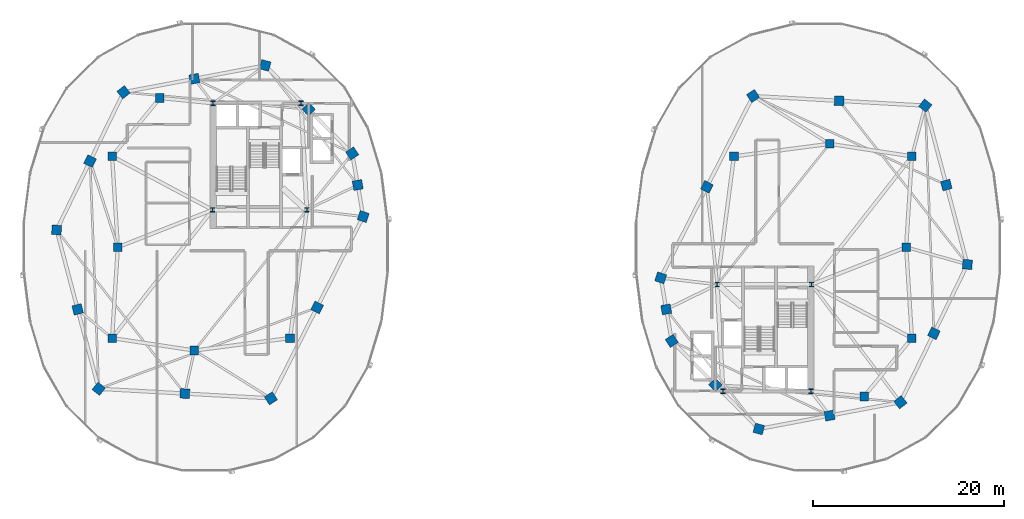
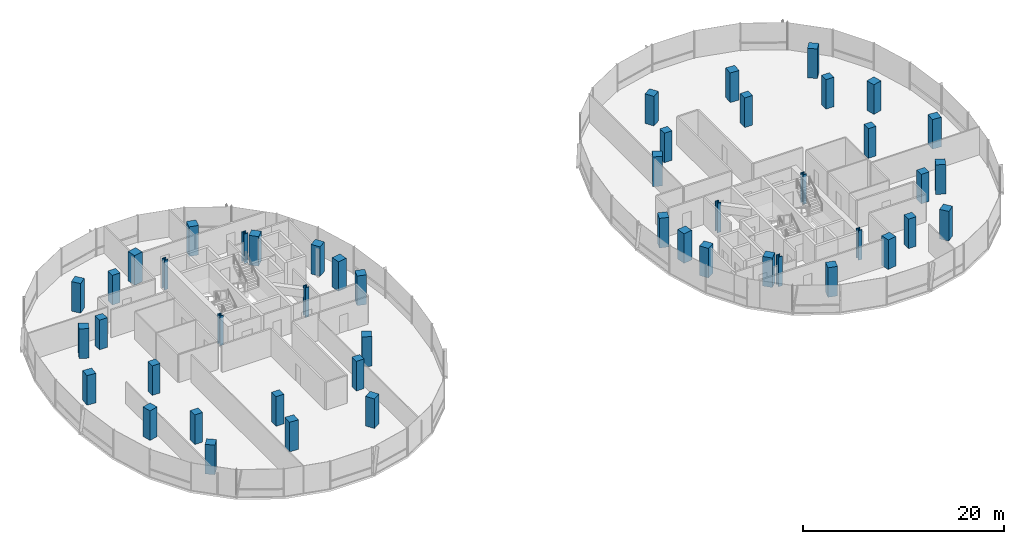
# One storey, part 1 of 22: 48 columns.
"""IFC4 building model written with IfcOpenShell, lengths in metres."""

from ifc_helpers import new_model, si_unit, direction, frame, origin, origin_2d, place, context, subcontext, project, spatial, rectangle, i_section, extrude, material, material_profile, profile_set, type_object, element, save


model = new_model("IFC4")

# Units and contexts
model_context = context("Model", 3, precision=1e-05, world=origin(), true_north=direction((0.0, 1.0)))
body_context = subcontext(model_context, "Body", "Model", "MODEL_VIEW")
ifc_project = project(units=[si_unit("LENGTHUNIT", "METRE"), si_unit("AREAUNIT", "SQUARE_METRE"), si_unit("VOLUMEUNIT", "CUBIC_METRE"), si_unit("PLANEANGLEUNIT", "RADIAN"), si_unit("MASSUNIT", "GRAM", prefix="KILO"), si_unit("THERMODYNAMICTEMPERATUREUNIT", "KELVIN"), si_unit("POWERUNIT", "WATT")], contexts=[model_context])

# Site, building, storey
site_placement = place(None, origin())
site = spatial("IfcSite", under=ifc_project, at=site_placement, CompositionType="ELEMENT")
building_placement = place(site_placement, origin())
building = spatial("IfcBuilding", under=site, at=building_placement, Name="Cundina Bronze Exchange", CompositionType="ELEMENT")
storey_placement = place(building_placement, frame((0.0, 0.0, 140.39990234375)))
storey = spatial("IfcBuildingStorey", under=building, at=storey_placement, Name="L36", CompositionType="ELEMENT", Elevation=140.39990234375)

# Columns
ifc_material_1 = material(Name="Steel ASTM A992 Grade 50", Category="steel")
ifc_material_profile_1 = material_profile(ifc_material_1, i_section(OverallWidth=0.431884765625, OverallDepth=0.498046875, WebThickness=0.0556640625, FlangeThickness=0.0888671875, FilletRadius=0.01806640625, at=origin_2d()), Name="W14X500", Category="steel")
ifc_profile_set_1 = profile_set([ifc_material_profile_1], Name="Steel ASTM A992 Grade 50")
column_type_1 = type_object("IfcColumnType", Name="COL-STL-W14A", PredefinedType="COLUMN", material=ifc_profile_set_1)
for number, where, z_axis, x_axis, name in (
    (1, (-31.300048828125, 3.89990234375, 0.0), (0.0, 0.0, 1.0), (1.0, 0.0, 0.0), "L36 Core Anchor Column W1"),
    (2, (-21.449951171875, 3.89990234375, 0.0), (0.0, 0.0, 1.0), (1.0, 0.0, 0.0), "L36 Core Anchor Column W2"),
    (3, (-22.050048828125, 15.050048828125, 0.0), (0.0, 0.0, 1.0), (1.0, 0.0, 0.0), "L36 Core Anchor Column W3"),
    (4, (-31.25, 15.050048828125, 0.0), (0.0, 0.0, 1.0), (1.0, 0.0, 0.0), "L36 Core Anchor Column W4"),
    (5, (31.300048828125, -3.89990234375, 0.0), (0.0, 0.0, 1.0), (1.0, 0.0, 0.0), "L36 Core Anchor Column E1"),
    (6, (21.449951171875, -3.89990234375, 0.0), (0.0, 0.0, 1.0), (1.0, 0.0, 0.0), "L36 Core Anchor Column E2"),
    (7, (22.050048828125, -15.050048828125, 0.0), (0.0, 0.0, 1.0), (1.0, 0.0, 0.0), "L36 Core Anchor Column E3"),
    (8, (31.25, -15.050048828125, 0.0), (0.0, 0.0, 1.0), (1.0, 0.0, 0.0), "L36 Core Anchor Column E4"),
):
    element("IfcColumn", number, at=place(storey_placement, frame(where, z_axis=z_axis, x_axis=x_axis)), inside=storey, type_object=column_type_1, Name=name, PredefinedType="COLUMN", context=body_context, shape_type="SweptSolid", body=[
        extrude(i_section(OverallWidth=0.431884765625, OverallDepth=0.498046875, WebThickness=0.0556640625, FlangeThickness=0.0888671875, FilletRadius=0.01806640625, at=origin_2d()), origin(), (0.0, 0.0, 1.0), 3.60009765625),
    ])
ifc_material_2 = material(Name="Concrete C50/60", Category="concrete")
ifc_material_profile_2 = material_profile(ifc_material_2, rectangle(XDim=1.0, YDim=1.0, at=origin_2d()), Name="RC1000X1000", Category="concrete")
ifc_profile_set_2 = profile_set([ifc_material_profile_2], Name="Concrete C50/60")
column_type_2 = type_object("IfcColumnType", Name="COL-Z3-1000", PredefinedType="COLUMN", material=ifc_profile_set_2)
for number, where, z_axis, x_axis, name in (
    (9, (-15.550048828125, 3.199951171875, 0.0), (0.0, 0.0, 1.0), (0.315152163383, 0.949041155016, 0.0), "L36 W Perimeter Column 00"),
    (10, (-16.125, 6.5, 0.0), (0.0, 0.0, 1.0), (-0.171585221787, 0.985169280715, 0.0), "L36 W Perimeter Column 01"),
    (11, (-16.699951171875, 9.800048828125, 0.0), (0.0, 0.0, 1.0), (-0.544199833495, 0.838955625301, 0.0), "L36 W Perimeter Column 02"),
    (12, (-21.25, 14.39990234375, 0.0), (0.0, 0.0, 1.0), (-0.703270634186, 0.710922228581, 0.0), "L36 W Perimeter Column 03"),
    (13, (-25.800048828125, 19.0, 0.0), (0.0, 0.0, 1.0), (-0.965970984022, 0.258650455301, 0.0), "L36 W Perimeter Column 04"),
    (14, (-33.199951171875, 17.60009765625, 0.0), (0.0, 0.0, 1.0), (-0.98258037664, -0.185838110843, 0.0), "L36 W Perimeter Column 05"),
    (15, (-40.60009765625, 16.199951171875, 0.0), (0.0, 0.0, 1.0), (-0.785100778485, -0.619368038909, 0.0), "L36 W Perimeter Column 06"),
    (16, (-44.10009765625, 9.0, 0.0), (0.0, 0.0, 1.0), (-0.437115766651, -0.899405251566, 0.0), "L36 W Perimeter Column 07"),
    (17, (-47.60009765625, 1.800048828125, 0.0), (0.0, 0.0, 1.0), (-0.083503921245, -0.996507448611, 0.0), "L36 W Perimeter Column 08"),
    (18, (-45.39990234375, -6.5, 0.0), (0.0, 0.0, 1.0), (0.256289373133, -0.966600102017, 0.0), "L36 W Perimeter Column 09"),
    (19, (-43.199951171875, -14.800048828125, 0.0), (0.0, 0.0, 1.0), (0.786288432137, -0.61785961309, 0.0), "L36 W Perimeter Column 10"),
    (20, (-34.199951171875, -15.300048828125, 0.0), (0.0, 0.0, 1.0), (0.998460188734, -0.055472980025, 0.0), "L36 W Perimeter Column 11"),
    (21, (-25.199951171875, -15.800048828125, 0.0), (0.0, 0.0, 1.0), (0.838099763533, 0.545516989988, 0.0), "L36 W Perimeter Column 12"),
    (22, (-20.375, -6.300048828125, 0.0), (0.0, 0.0, 1.0), (0.452901591366, 0.891560513111, 0.0), "L36 W Perimeter Column 13"),
    (23, (15.550048828125, -3.199951171875, 0.0), (0.0, 0.0, 1.0), (-0.315152163383, -0.949041155016, 0.0), "L36 E Perimeter Column 00"),
    (24, (16.125, -6.5, 0.0), (0.0, 0.0, 1.0), (0.171585221787, -0.985169280715, 0.0), "L36 E Perimeter Column 01"),
    (25, (16.699951171875, -9.800048828125, 0.0), (0.0, 0.0, 1.0), (0.544199833495, -0.838955625301, 0.0), "L36 E Perimeter Column 02"),
    (26, (21.25, -14.39990234375, 0.0), (0.0, 0.0, 1.0), (0.703270634186, -0.710922228581, 0.0), "L36 E Perimeter Column 03"),
    (27, (25.800048828125, -19.0, 0.0), (0.0, 0.0, 1.0), (0.965970984022, -0.258650455301, 0.0), "L36 E Perimeter Column 04"),
    (28, (33.199951171875, -17.60009765625, 0.0), (0.0, 0.0, 1.0), (0.98258037664, 0.185838110843, 0.0), "L36 E Perimeter Column 05"),
    (29, (40.60009765625, -16.199951171875, 0.0), (0.0, 0.0, 1.0), (0.785100778485, 0.619368038909, 0.0), "L36 E Perimeter Column 06"),
    (30, (44.10009765625, -9.0, 0.0), (0.0, 0.0, 1.0), (0.437115766651, 0.899405251566, 0.0), "L36 E Perimeter Column 07"),
    (31, (47.60009765625, -1.800048828125, 0.0), (0.0, 0.0, 1.0), (0.083503921245, 0.996507448611, 0.0), "L36 E Perimeter Column 08"),
    (32, (45.39990234375, 6.5, 0.0), (0.0, 0.0, 1.0), (-0.256289373133, 0.966600102017, 0.0), "L36 E Perimeter Column 09"),
    (33, (43.199951171875, 14.800048828125, 0.0), (0.0, 0.0, 1.0), (-0.786288432137, 0.61785961309, 0.0), "L36 E Perimeter Column 10"),
    (34, (34.199951171875, 15.300048828125, 0.0), (0.0, 0.0, 1.0), (-0.998460188734, 0.055472980025, 0.0), "L36 E Perimeter Column 11"),
    (35, (25.199951171875, 15.800048828125, 0.0), (0.0, 0.0, 1.0), (-0.838099763533, -0.545516989988, 0.0), "L36 E Perimeter Column 12"),
    (36, (20.375, 6.300048828125, 0.0), (0.0, 0.0, 1.0), (-0.452901591366, -0.891560513111, 0.0), "L36 E Perimeter Column 13"),
):
    element("IfcColumn", number, at=place(storey_placement, frame(where, z_axis=z_axis, x_axis=x_axis)), inside=storey, type_object=column_type_2, Name=name, PredefinedType="COLUMN", context=body_context, shape_type="SweptSolid", body=[
        extrude(rectangle(XDim=1.0, YDim=1.0, at=origin_2d()), origin(), (0.0, 0.0, 1.0), 3.60009765625),
    ])
ifc_material_profile_3 = material_profile(ifc_material_2, rectangle(XDim=0.89990234375, YDim=0.89990234375, at=origin_2d()), Name="RC900X900", Category="concrete")
ifc_profile_set_3 = profile_set([ifc_material_profile_3], Name="Concrete C50/60")
column_type_3 = type_object("IfcColumnType", Name="COL-Z4-900", PredefinedType="COLUMN", material=ifc_profile_set_3)
for number, where, z_axis, x_axis, name in (
    (37, (-41.199951171875, 0.0, 0.0), (0.0, 0.0, 1.0), (1.0, 0.0, 0.0), "L36 W Inner Ring Column 1"),
    (38, (-41.800048828125, 9.5, 0.0), (0.0, 0.0, 1.0), (1.0, 0.0, 0.0), "L36 W Inner Ring Column 2"),
    (39, (-36.800048828125, 15.60009765625, 0.0), (0.0, 0.0, 1.0), (1.0, 0.0, 0.0), "L36 W Inner Ring Column 3"),
    (40, (-41.800048828125, -9.5, 0.0), (0.0, 0.0, 1.0), (1.0, 0.0, 0.0), "L36 W Inner Ring Column 4"),
    (41, (-33.199951171875, -10.800048828125, 0.0), (0.0, 0.0, 1.0), (1.0, 0.0, 0.0), "L36 W Inner Ring Column 5"),
    (42, (-23.199951171875, -9.5, 0.0), (0.0, 0.0, 1.0), (1.0, 0.0, 0.0), "L36 W Inner Ring Column 6"),
    (43, (41.199951171875, 0.0, 0.0), (0.0, 0.0, 1.0), (1.0, 0.0, 0.0), "L36 E Inner Ring Column 1"),
    (44, (41.800048828125, -9.5, 0.0), (0.0, 0.0, 1.0), (1.0, 0.0, 0.0), "L36 E Inner Ring Column 2"),
    (45, (36.800048828125, -15.60009765625, 0.0), (0.0, 0.0, 1.0), (1.0, 0.0, 0.0), "L36 E Inner Ring Column 3"),
    (46, (41.800048828125, 9.5, 0.0), (0.0, 0.0, 1.0), (1.0, 0.0, 0.0), "L36 E Inner Ring Column 4"),
    (47, (33.199951171875, 10.800048828125, 0.0), (0.0, 0.0, 1.0), (1.0, 0.0, 0.0), "L36 E Inner Ring Column 5"),
    (48, (23.199951171875, 9.5, 0.0), (0.0, 0.0, 1.0), (1.0, 0.0, 0.0), "L36 E Inner Ring Column 6"),
):
    element("IfcColumn", number, at=place(storey_placement, frame(where, z_axis=z_axis, x_axis=x_axis)), inside=storey, type_object=column_type_3, Name=name, PredefinedType="COLUMN", context=body_context, shape_type="SweptSolid", body=[
        extrude(rectangle(XDim=0.89990234375, YDim=0.89990234375, at=origin_2d()), origin(), (0.0, 0.0, 1.0), 3.60009765625),
    ])

save(model, "model.ifc")
